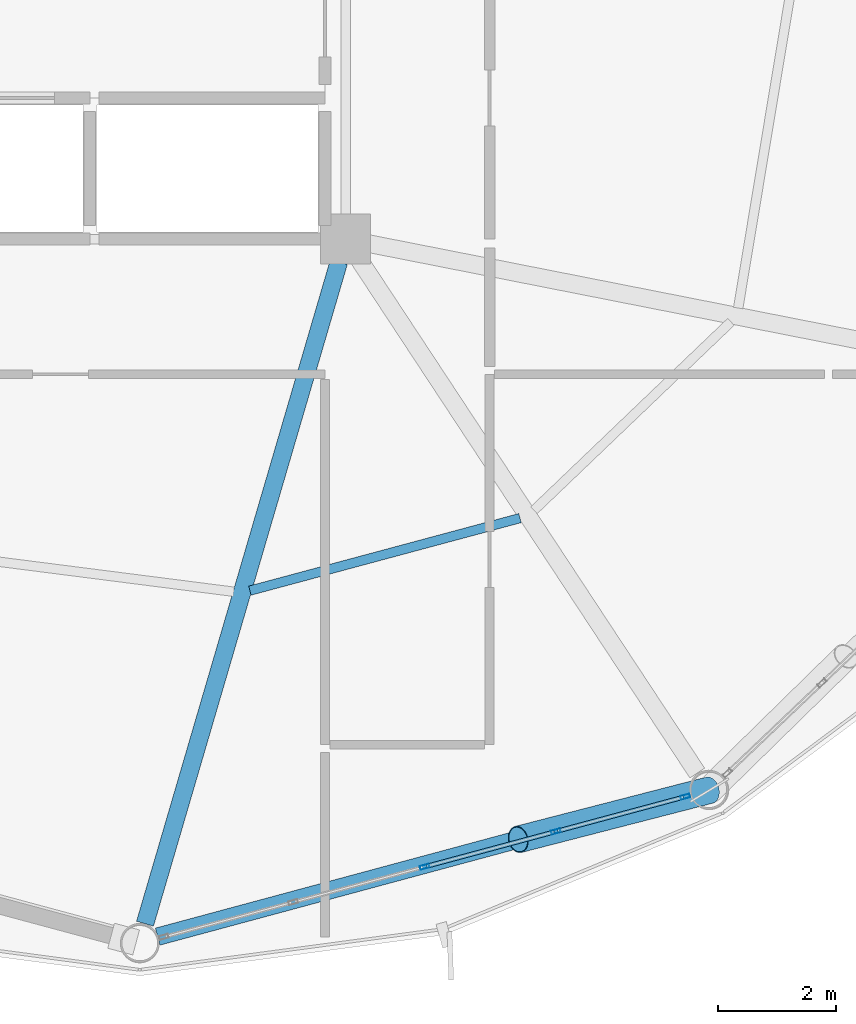
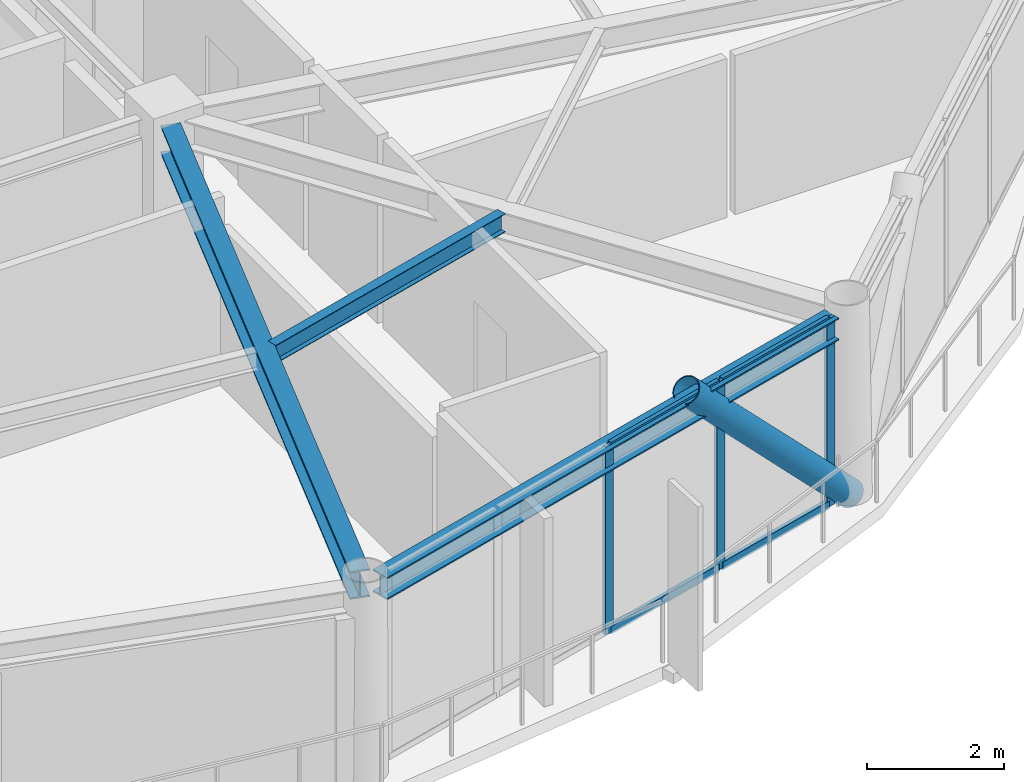
# One storey, part 8 of 28: 8 members, 3 beams, 1 element without a shape of its own.
"""IFC4 building model written with IfcOpenShell, lengths in metres."""

from ifc_helpers import new_model, si_unit, direction, frame, origin, origin_2d, place, context, subcontext, project, spatial, hollow_rectangle, hollow_circle, i_section, extrude, material, layer, layer_set, material_profile, profile_set, type_object, element, aggregate, save


model = new_model("IFC4")

# Units and contexts
model_context = context("Model", 3, precision=1e-05, world=origin(), true_north=direction((0.0, 1.0)))
body_context = subcontext(model_context, "Body", "Model", "MODEL_VIEW")
ifc_project = project(units=[si_unit("LENGTHUNIT", "METRE"), si_unit("AREAUNIT", "SQUARE_METRE"), si_unit("VOLUMEUNIT", "CUBIC_METRE"), si_unit("PLANEANGLEUNIT", "RADIAN"), si_unit("MASSUNIT", "GRAM", prefix="KILO")], contexts=[model_context])

# Site, building, storey
site_placement = place(None, origin())
site = spatial("IfcSite", under=ifc_project, at=site_placement, CompositionType="ELEMENT")
building_placement = place(site_placement, origin())
building = spatial("IfcBuilding", under=site, at=building_placement, Name="Varnakorn Sky Granary", CompositionType="ELEMENT")
storey_placement = place(building_placement, frame((0.0, 0.0, 193.199951171875)))
storey = spatial("IfcBuildingStorey", under=building, at=storey_placement, Name="L48", CompositionType="ELEMENT", Elevation=193.199951171875)

# Beams
ifc_material_1 = material(Name="Steel S355JR", Category="steel")
ifc_material_profile_1 = material_profile(ifc_material_1, i_section(OverallWidth=0.300048828125, OverallDepth=0.5, WebThickness=0.014404296875, FlangeThickness=0.028076171875, at=origin_2d()), Name="HE 500 B")
ifc_profile_set_1 = profile_set([ifc_material_profile_1], Name="Steel S355JR")
beam_type_1 = type_object("IfcBeamType", Name="BM-RAD-Z4", PredefinedType="BEAM", material=ifc_profile_set_1)
beam_1_placement = place(storey_placement, frame((8.236083984375, -6.98876953125, 3.110107421875), z_axis=(-0.281131625589, -0.959669218582, 0.0), x_axis=(0.959669218582, -0.281131625589, 0.0)))
element("IfcBeam", 1, at=beam_1_placement, inside=storey, type_object=beam_type_1, Name="Radial Floor Girder RG10 L48", PredefinedType="BEAM", context=body_context, shape_type="SweptSolid", body=[
    extrude(i_section(OverallWidth=0.300048828125, OverallDepth=0.5, WebThickness=0.014404296875, FlangeThickness=0.028076171875, at=origin_2d()), origin(), (0.0, 0.0, 1.0), 11.72900390625),
])
ifc_material_profile_2 = material_profile(ifc_material_1, i_section(OverallWidth=0.159912109375, OverallDepth=0.330078125, WebThickness=0.007568359375, FlangeThickness=0.011474609375, at=origin_2d()), Name="IPE 330")
ifc_profile_set_2 = profile_set([ifc_material_profile_2], Name="Steel S355JR")
beam_type_2 = type_object("IfcBeamType", Name="BM-SEC-Z4", PredefinedType="BEAM", material=ifc_profile_set_2)
beam_2_placement = place(storey_placement, frame((6.72265625, -12.580322265625, 3.195068359375), z_axis=(0.965775134609, 0.259380780652, 0.0), x_axis=(-0.259380780652, 0.965775134609, 0.0)))
element("IfcBeam", 2, at=beam_2_placement, inside=storey, type_object=beam_type_2, Name="Secondary Floor Chord Beam MSB10 L48", PredefinedType="BEAM", context=body_context, shape_type="SweptSolid", body=[
    extrude(i_section(OverallWidth=0.159912109375, OverallDepth=0.330078125, WebThickness=0.007568359375, FlangeThickness=0.011474609375, at=origin_2d()), origin(), (0.0, 0.0, 1.0), 4.757080078125),
])
ifc_material_profile_3 = material_profile(ifc_material_1, i_section(OverallWidth=0.300048828125, OverallDepth=0.39990234375, WebThickness=0.013427734375, FlangeThickness=0.02392578125, at=origin_2d()), Name="HE 400 B")
ifc_profile_set_3 = profile_set([ifc_material_profile_3], Name="Steel S355JR")
beam_type_3 = type_object("IfcBeamType", Name="BM-SPD-Z4", PredefinedType="SPANDREL", material=ifc_profile_set_3)
beam_3_placement = place(storey_placement, frame((5.154052734375, -18.465087890625, 3.16015625), z_axis=(0.965557364006, 0.260190270405, 0.0), x_axis=(-0.260190270405, 0.965557364006, 0.0)))
element("IfcBeam", 3, at=beam_3_placement, inside=storey, type_object=beam_type_3, Name="Perimeter Spandrel Ring Beam RB10 L48", PredefinedType="SPANDREL", context=body_context, shape_type="SweptSolid", body=[
    extrude(i_section(OverallWidth=0.300048828125, OverallDepth=0.39990234375, WebThickness=0.013427734375, FlangeThickness=0.02392578125, at=origin_2d()), origin(), (0.0, 0.0, 1.0), 9.369140625),
])

# Curtain wall, members
ifc_material_2 = material(Name="Anodised Bronze Aluminium Alloy 6063-T6", Category="aluminium")
ifc_layer = layer(ifc_material_2, 0.169921875, Name="Anodised Bronze Aluminium Alloy 6063-T6")
ifc_layer_set = layer_set([ifc_layer], Name="Anodised Bronze Aluminium Alloy 6063-T6")
curtain_wall_type = type_object("IfcCurtainWallType", Name="CW-LAB-1", PredefinedType="USERDEFINED", material=ifc_layer_set)
curtain_wall_placement = place(storey_placement, origin())
curtain_wall = element("IfcCurtainWall", 4, at=curtain_wall_placement, inside=storey, type_object=curtain_wall_type, Name="Unitised Curtain Wall CW5 CW-L48-B10", ObjectType="CURTAIN WALL", PredefinedType="USERDEFINED")
ifc_material_profile_4 = material_profile(ifc_material_2, hollow_rectangle(XDim=0.06494140625, YDim=0.159912109375, WallThickness=0.00341796875, at=origin_2d()), Name="ALU MULL 65x160")
ifc_profile_set_4 = profile_set([ifc_material_profile_4], Name="Anodised Bronze Aluminium Alloy 6063-T6")
member_type_1 = type_object("IfcMemberType", Name="CW-LAB-1-MULL", PredefinedType="MULLION", material=ifc_profile_set_4)
member_1_placement = place(storey_placement, frame((14.130126953125, -16.08447265625, 0.0), z_axis=(0.0, 0.0, 1.0), x_axis=(0.259789749164, -0.965665204007, 0.0)))
member_1 = element("IfcMember", 5, at=member_1_placement, type_object=member_type_1, Name="CW5 mullion 1", PredefinedType="MULLION", context=body_context, shape_type="SweptSolid", body=[
    extrude(hollow_rectangle(XDim=0.06494140625, YDim=0.159912109375, WallThickness=0.00341796875, at=origin_2d()), origin(), (0.0, 0.0, 1.0), 3.360107421875),
])
member_2_placement = place(storey_placement, frame((11.927734375, -16.677001953125, 0.0), z_axis=(0.0, 0.0, 1.0), x_axis=(0.259789749164, -0.965665204007, 0.0)))
member_2 = element("IfcMember", 6, at=member_2_placement, type_object=member_type_1, Name="CW5 mullion 2", PredefinedType="MULLION", context=body_context, shape_type="SweptSolid", body=[
    extrude(hollow_rectangle(XDim=0.06494140625, YDim=0.159912109375, WallThickness=0.00341796875, at=origin_2d()), origin(), (0.0, 0.0, 1.0), 3.360107421875),
])
member_3_placement = place(storey_placement, frame((9.694091796875, -17.27783203125, 0.0), z_axis=(0.0, 0.0, 1.0), x_axis=(0.259789749164, -0.965665204007, 0.0)))
member_3 = element("IfcMember", 7, at=member_3_placement, type_object=member_type_1, Name="CW5 mullion 3", PredefinedType="MULLION", context=body_context, shape_type="SweptSolid", body=[
    extrude(hollow_rectangle(XDim=0.06494140625, YDim=0.159912109375, WallThickness=0.00341796875, at=origin_2d()), origin(), (0.0, 0.0, 1.0), 3.360107421875),
])
ifc_material_profile_5 = material_profile(ifc_material_2, hollow_rectangle(XDim=0.070068359375, YDim=0.139892578125, WallThickness=0.00341796875, at=origin_2d()), Name="ALU TRAN 70x140")
ifc_profile_set_5 = profile_set([ifc_material_profile_5], Name="Anodised Bronze Aluminium Alloy 6063-T6")
member_type_2 = type_object("IfcMemberType", Name="CW-LAB-1-TRAN", PredefinedType="USERDEFINED", material=ifc_profile_set_5)
member_4_placement = place(storey_placement, frame((14.0986328125, -16.0927734375, 0.03515625), z_axis=(-0.965658299658, -0.25981541198, 0.0), x_axis=(0.25981541198, -0.965658299658, 0.0)))
member_4 = element("IfcMember", 8, at=member_4_placement, type_object=member_type_2, Name="CW5 transom 1.1", ObjectType="TRANSOM", PredefinedType="USERDEFINED", context=body_context, shape_type="SweptSolid", body=[
    extrude(hollow_rectangle(XDim=0.070068359375, YDim=0.139892578125, WallThickness=0.00341796875, at=origin_2d()), origin(), (0.0, 0.0, 1.0), 2.2158203125),
])
member_5_placement = place(storey_placement, frame((14.0986328125, -16.0927734375, 3.324951171875), z_axis=(-0.965658299658, -0.25981541198, 0.0), x_axis=(0.25981541198, -0.965658299658, 0.0)))
member_5 = element("IfcMember", 9, at=member_5_placement, type_object=member_type_2, Name="CW5 transom 1.2", ObjectType="TRANSOM", PredefinedType="USERDEFINED", context=body_context, shape_type="SweptSolid", body=[
    extrude(hollow_rectangle(XDim=0.070068359375, YDim=0.139892578125, WallThickness=0.00341796875, at=origin_2d()), origin(), (0.0, 0.0, 1.0), 2.2158203125),
])
member_6_placement = place(storey_placement, frame((11.896240234375, -16.685302734375, 0.03515625), z_axis=(-0.96567026192, -0.259770947651, 0.0), x_axis=(0.259770947651, -0.96567026192, 0.0)))
member_6 = element("IfcMember", 10, at=member_6_placement, type_object=member_type_2, Name="CW5 transom 2.1", ObjectType="TRANSOM", PredefinedType="USERDEFINED", context=body_context, shape_type="SweptSolid", body=[
    extrude(hollow_rectangle(XDim=0.070068359375, YDim=0.139892578125, WallThickness=0.00341796875, at=origin_2d()), origin(), (0.0, 0.0, 1.0), 2.248046875),
])
member_7_placement = place(storey_placement, frame((11.896240234375, -16.685302734375, 3.324951171875), z_axis=(-0.96567026192, -0.259770947651, 0.0), x_axis=(0.259770947651, -0.96567026192, 0.0)))
member_7 = element("IfcMember", 11, at=member_7_placement, type_object=member_type_2, Name="CW5 transom 2.2", ObjectType="TRANSOM", PredefinedType="USERDEFINED", context=body_context, shape_type="SweptSolid", body=[
    extrude(hollow_rectangle(XDim=0.070068359375, YDim=0.139892578125, WallThickness=0.00341796875, at=origin_2d()), origin(), (0.0, 0.0, 1.0), 2.248046875),
])
aggregate(curtain_wall, [member_1, member_2, member_3, member_4, member_5, member_6, member_7])

# Member
ifc_material_3 = material(Name="Steel S460M", Category="steel")
ifc_material_profile_6 = material_profile(ifc_material_3, hollow_circle(Radius=0.228515625, WallThickness=0.01611328125, at=origin_2d()), Name="CHS 457x16")
ifc_profile_set_6 = profile_set([ifc_material_profile_6], Name="Steel S460M")
member_type_3 = type_object("IfcMemberType", Name="MB-DIAG-T3", PredefinedType="BRACE", material=ifc_profile_set_6)
member_8_placement = place(storey_placement, frame((14.5380859375, -15.974609375, 0.0), z_axis=(-0.671409429135, -0.173006769336, 0.720609489413), x_axis=(0.249526177568, -0.968368053329, 0.0)))
element("IfcMember", 12, at=member_8_placement, inside=storey, type_object=member_type_3, Name="Perimeter CHS Diagrid Brace DG10 L48", PredefinedType="BRACE", context=body_context, shape_type="SweptSolid", body=[
    extrude(hollow_circle(Radius=0.228515625, WallThickness=0.01611328125, at=origin_2d()), origin(), (0.0, 0.0, 1.0), 4.843017578125),
])

save(model, "model.ifc")
